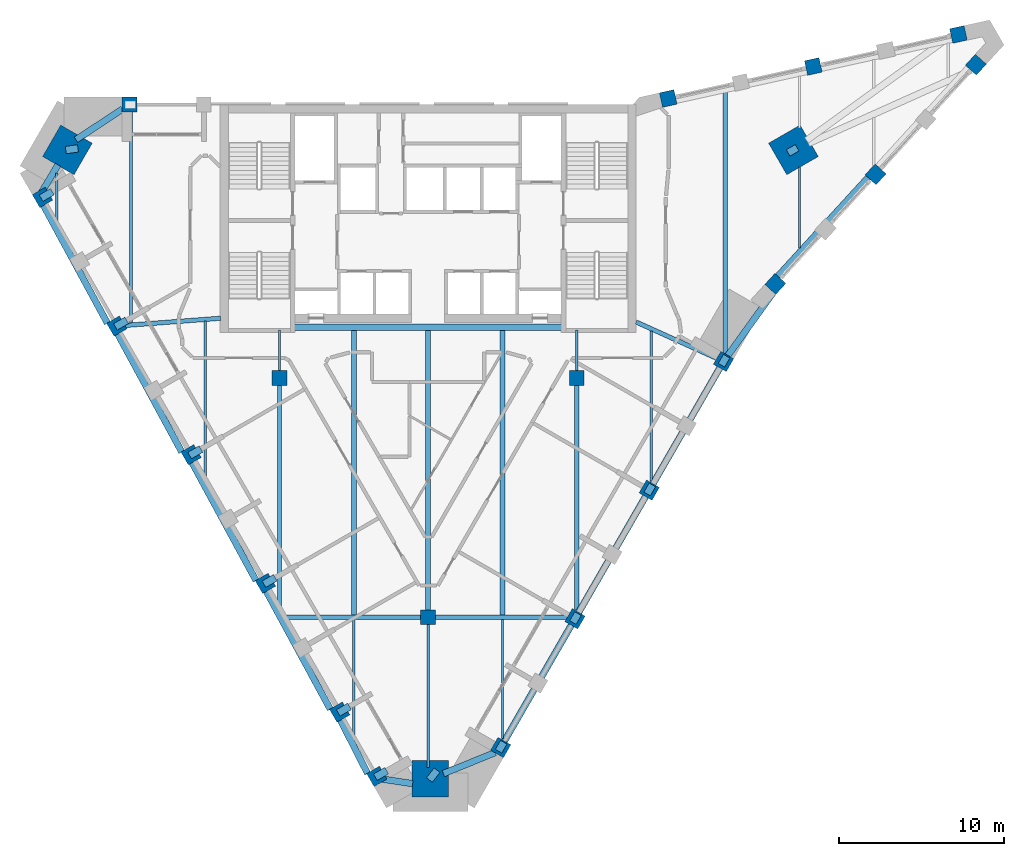
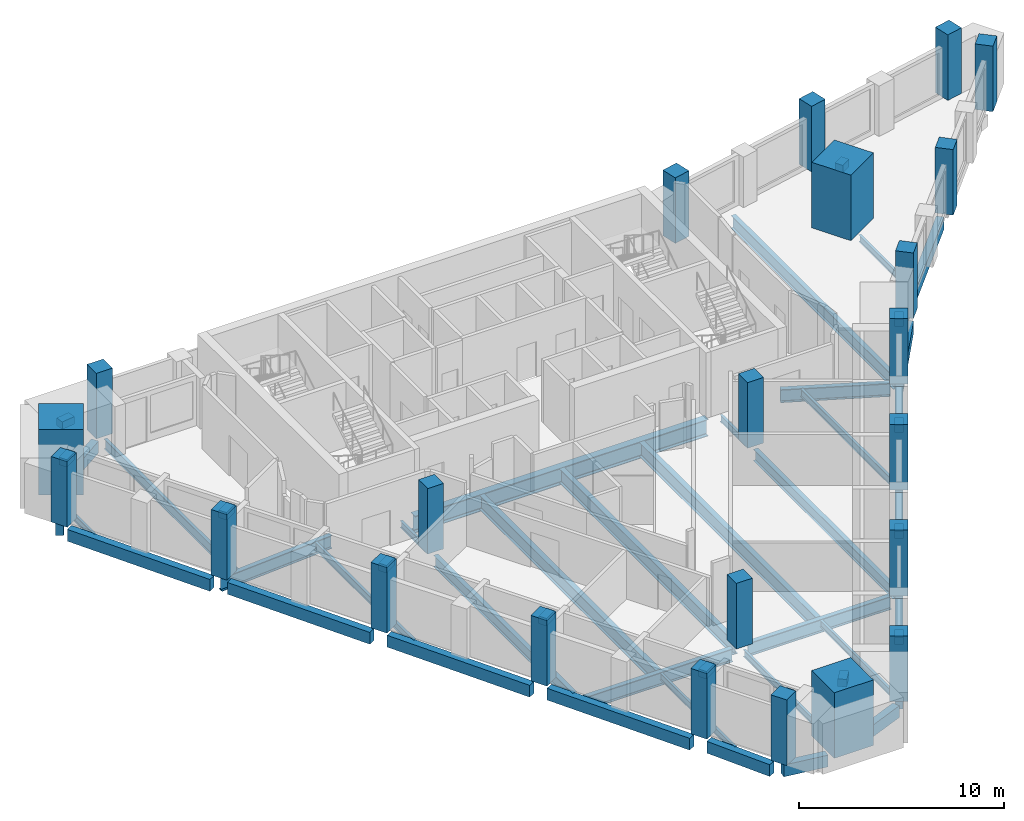
# One storey, part 1 of 8: 48 beams, 23 columns.
"""IFC4 building model written with IfcOpenShell, lengths in metres."""

from ifc_helpers import new_model, si_unit, direction, frame, origin, origin_2d, place, context, subcontext, project, spatial, rectangle, i_section, extrude, material, material_profile, profile_set, type_object, element, save


model = new_model("IFC4")

# Units and contexts
model_context = context("Model", 3, precision=1e-05, world=origin(), true_north=direction((0.0, 1.0)))
body_context = subcontext(model_context, "Body", "Model", "MODEL_VIEW")
ifc_project = project(units=[si_unit("LENGTHUNIT", "METRE"), si_unit("AREAUNIT", "SQUARE_METRE"), si_unit("VOLUMEUNIT", "CUBIC_METRE"), si_unit("PLANEANGLEUNIT", "RADIAN"), si_unit("MASSUNIT", "GRAM", prefix="KILO")], contexts=[model_context])

# Site, building, storey
site_placement = place(None, origin())
site = spatial("IfcSite", under=ifc_project, at=site_placement, CompositionType="ELEMENT")
building_placement = place(site_placement, origin())
building = spatial("IfcBuilding", under=site, at=building_placement, Name="Calabash Gate Tower", CompositionType="ELEMENT")
storey_placement = place(building_placement, frame((0.0, 0.0, 267.699951171875)))
storey = spatial("IfcBuildingStorey", under=building, at=storey_placement, Name="L64", CompositionType="ELEMENT", Elevation=267.699951171875)

# Columns
ifc_material_1 = material(Name="Concrete C60/75", Category="concrete")
ifc_material_profile_1 = material_profile(ifc_material_1, rectangle(XDim=0.89990234375, YDim=0.89990234375, at=origin_2d()))
ifc_profile_set_1 = profile_set([ifc_material_profile_1], Name="Concrete C60/75")
column_type_1 = type_object("IfcColumnType", Name="Interior column RC 900x900 Concrete C60/75", PredefinedType="COLUMN", material=ifc_profile_set_1)
for number, where, z_axis, x_axis, name in (
    (1, (-9.0, 2.5, 0.0), (0.0, 0.0, 1.0), (1.0, 0.0, 0.0), "Interior column L64 I0"),
    (2, (9.0, 2.5, 0.0), (0.0, 0.0, 1.0), (1.0, 0.0, 0.0), "Interior column L64 I1"),
    (3, (0.0, -12.0, 0.0), (0.0, 0.0, 1.0), (1.0, 0.0, 0.0), "Interior column L64 I2"),
):
    element("IfcColumn", number, at=place(storey_placement, frame(where, z_axis=z_axis, x_axis=x_axis)), inside=storey, type_object=column_type_1, Name=name, PredefinedType="COLUMN", context=body_context, shape_type="SweptSolid", body=[
        extrude(rectangle(XDim=0.89990234375, YDim=0.89990234375, at=origin_2d()), origin(), (0.0, 0.0, 1.0), 3.900146484375),
    ])
ifc_material_2 = material(Name="Concrete C60/75", Category="concrete")
ifc_material_profile_2 = material_profile(ifc_material_2, rectangle(XDim=2.199951171875, YDim=2.199951171875, at=origin_2d()))
ifc_profile_set_2 = profile_set([ifc_material_profile_2], Name="Concrete C60/75")
column_type_2 = type_object("IfcColumnType", Name="Mega column RC 2200x2200 Concrete C60/75", PredefinedType="COLUMN", material=ifc_profile_set_2)
for number, where, z_axis, x_axis, name in (
    (4, (-21.85302734375, 16.30810546875, 0.0), (0.0, 0.0, 1.0), (0.866025421238, -0.49999996977, 0.0), "Mega column L64 NW"),
    (5, (22.1279296875, 16.30810546875, 0.0), (0.0, 0.0, 1.0), (-0.866025421238, -0.49999996977, 0.0), "Mega column L64 NE"),
    (6, (0.136962890625, -21.781005859375, 0.0), (0.0, 0.0, 1.0), (0.0, 1.0, 0.0), "Mega column L64 S"),
):
    element("IfcColumn", number, at=place(storey_placement, frame(where, z_axis=z_axis, x_axis=x_axis)), inside=storey, type_object=column_type_2, Name=name, PredefinedType="COLUMN", context=body_context, shape_type="SweptSolid", body=[
        extrude(rectangle(XDim=2.199951171875, YDim=2.199951171875, at=origin_2d()), origin(), (0.0, 0.0, 1.0), 3.900146484375),
    ])
ifc_material_3 = material(Name="Concrete C50/60", Category="concrete")
ifc_material_profile_3 = material_profile(ifc_material_3, rectangle(XDim=0.89990234375, YDim=0.89990234375, at=origin_2d()))
ifc_profile_set_3 = profile_set([ifc_material_profile_3], Name="Concrete C50/60")
column_type_3 = type_object("IfcColumnType", Name="Perimeter column RC 900x900 Concrete C50/60", PredefinedType="COLUMN", material=ifc_profile_set_3)
for number, where, z_axis, x_axis, name in (
    (7, (-23.360107421875, 13.428955078125, 0.0), (0.0, 0.0, 1.0), (0.499999984885, -0.866025412511, 0.0), "Perimeter column L64 P20"),
    (8, (-18.860107421875, 5.634033203125, 0.0), (0.0, 0.0, 1.0), (0.499999984885, -0.866025412511, 0.0), "Perimeter column L64 P00"),
    (9, (-14.360107421875, -2.159912109375, 0.0), (0.0, 0.0, 1.0), (0.499999984885, -0.866025412511, 0.0), "Perimeter column L64 P01"),
    (10, (-9.860107421875, -9.9541015625, 0.0), (0.0, 0.0, 1.0), (0.499999984885, -0.866025412511, 0.0), "Perimeter column L64 P02"),
    (11, (-5.360107421875, -17.748046875, 0.0), (0.0, 0.0, 1.0), (0.499999984885, -0.866025412511, 0.0), "Perimeter column L64 P03"),
    (12, (-3.110107421875, -21.64306640625, 0.0), (0.0, 0.0, 1.0), (0.499999984885, -0.866025412511, 0.0), "Perimeter column L64 P25"),
    (13, (4.39599609375, -19.89306640625, 0.0), (0.0, 0.0, 1.0), (0.5, 0.866025403784, 0.0), "Perimeter column L64 P08"),
    (14, (8.89599609375, -12.097900390625, 0.0), (0.0, 0.0, 1.0), (0.5, 0.866025403784, 0.0), "Perimeter column L64 P09"),
    (15, (13.39599609375, -4.303955078125, 0.0), (0.0, 0.0, 1.0), (0.5, 0.866025403784, 0.0), "Perimeter column L64 P10"),
    (16, (17.89599609375, 3.489990234375, 0.0), (0.0, 0.0, 1.0), (0.5, 0.866025403784, 0.0), "Perimeter column L64 P11"),
    (17, (21.031005859375, 8.18701171875, 0.0), (0.0, 0.0, 1.0), (0.67485604152, 0.737949404244, 0.0), "Perimeter column L64 P12"),
    (18, (27.10400390625, 14.825927734375, 0.0), (0.0, 0.0, 1.0), (0.67485604152, 0.737949404244, 0.0), "Perimeter column L64 P36"),
    (19, (33.177978515625, 21.468017578125, 0.0), (0.0, 0.0, 1.0), (0.67485604152, 0.737949404244, 0.0), "Perimeter column L64 P37"),
    (20, (32.12109375, 23.298095703125, 0.0), (0.0, 0.0, 1.0), (-0.976510951543, -0.215467773731, 0.0), "Perimeter column L64 P38"),
    (21, (23.3330078125, 21.35888671875, 0.0), (0.0, 0.0, 1.0), (-0.976510951543, -0.215467773731, 0.0), "Perimeter column L64 P39"),
    (22, (14.5439453125, 19.4189453125, 0.0), (0.0, 0.0, 1.0), (-0.976510951543, -0.215467773731, 0.0), "Perimeter column L64 P40"),
    (23, (-18.089111328125, 19.052978515625, 0.0), (0.0, 0.0, 1.0), (-1.0, 0.0, 0.0), "Perimeter column L64 P31"),
):
    element("IfcColumn", number, at=place(storey_placement, frame(where, z_axis=z_axis, x_axis=x_axis)), inside=storey, type_object=column_type_3, Name=name, PredefinedType="COLUMN", context=body_context, shape_type="SweptSolid", body=[
        extrude(rectangle(XDim=0.89990234375, YDim=0.89990234375, at=origin_2d()), origin(), (0.0, 0.0, 1.0), 3.900146484375),
    ])

# Beams
ifc_material_4 = material(Name="Concrete C80/95", Category="concrete")
ifc_material_profile_4 = material_profile(ifc_material_4, rectangle(XDim=0.449951171875, YDim=0.449951171875, at=origin_2d()))
ifc_profile_set_4 = profile_set([ifc_material_profile_4], Name="Concrete C80/95")
beam_type_1 = type_object("IfcBeamType", Name="Column offset link RC 450x450 Concrete C80/95", PredefinedType="BEAM", material=ifc_profile_set_4)
beam_1_placement = place(storey_placement, frame((21.805908203125, 16.1220703125, 3.504150390625), z_axis=(0.866282275329, 0.499554821267, 0.0), x_axis=(-0.499554821267, 0.866282275329, 0.0)))
element("IfcBeam", 24, at=beam_1_placement, inside=storey, type_object=beam_type_1, Name="Column offset link L64 NE", PredefinedType="BEAM", context=body_context, shape_type="SweptSolid", body=[
    extrude(rectangle(XDim=0.449951171875, YDim=0.449951171875, at=origin_2d()), origin(), (0.0, 0.0, 1.0), 0.63037109375),
])
beam_2_placement = place(storey_placement, frame((-21.951904296875, 16.2939453125, 3.504150390625), z_axis=(0.989851928637, 0.142102636756, 0.0), x_axis=(-0.142102636756, 0.989851928637, 0.0)))
element("IfcBeam", 25, at=beam_2_placement, inside=storey, type_object=beam_type_1, Name="Column offset link L64 NW", PredefinedType="BEAM", context=body_context, shape_type="SweptSolid", body=[
    extrude(rectangle(XDim=0.449951171875, YDim=0.449951171875, at=origin_2d()), origin(), (0.0, 0.0, 1.0), 0.75244140625),
])
beam_3_placement = place(storey_placement, frame((-18.946044921875, 5.583984375, 3.504150390625), z_axis=(0.865538736039, 0.500841987473, 0.0), x_axis=(-0.500841987473, 0.865538736039, 0.0)))
element("IfcBeam", 26, at=beam_3_placement, inside=storey, type_object=beam_type_1, Name="Column offset link L64 P00", PredefinedType="BEAM", context=body_context, shape_type="SweptSolid", body=[
    extrude(rectangle(XDim=0.449951171875, YDim=0.449951171875, at=origin_2d()), origin(), (0.0, 0.0, 1.0), 0.792724609375),
])
for number, where, z_axis, x_axis, name in (
    (27, (-14.446044921875, -2.2099609375, 3.504150390625), (0.866072678707, 0.499918108492, 0.0), (-0.499918108492, 0.866072678707, 0.0), "Column offset link L64 P01"),
    (28, (-9.946044921875, -10.00390625, 3.504150390625), (0.866072678707, 0.499918108492, 0.0), (-0.499918108492, 0.866072678707, 0.0), "Column offset link L64 P02"),
    (29, (-5.446044921875, -17.798095703125, 3.504150390625), (0.866072678707, 0.499918108492, 0.0), (-0.499918108492, 0.866072678707, 0.0), "Column offset link L64 P03"),
):
    element("IfcBeam", number, at=place(storey_placement, frame(where, z_axis=z_axis, x_axis=x_axis)), inside=storey, type_object=beam_type_1, Name=name, PredefinedType="BEAM", context=body_context, shape_type="SweptSolid", body=[
        extrude(rectangle(XDim=0.449951171875, YDim=0.449951171875, at=origin_2d()), origin(), (0.0, 0.0, 1.0), 0.792236328125),
    ])
beam_4_placement = place(storey_placement, frame((4.26708984375, -20.1201171875, 3.504150390625), z_axis=(0.49655600483, 0.86800468551, 0.0), x_axis=(-0.86800468551, 0.49655600483, 0.0)))
element("IfcBeam", 30, at=beam_4_placement, inside=storey, type_object=beam_type_1, Name="Column offset link L64 P08", PredefinedType="BEAM", context=body_context, shape_type="SweptSolid", body=[
    extrude(rectangle(XDim=0.449951171875, YDim=0.449951171875, at=origin_2d()), origin(), (0.0, 0.0, 1.0), 0.63037109375),
])
beam_5_placement = place(storey_placement, frame((8.76708984375, -12.325927734375, 3.504150390625), z_axis=(0.498062309205, 0.867141243483, 0.0), x_axis=(-0.867141243483, 0.498062309205, 0.0)))
element("IfcBeam", 31, at=beam_5_placement, inside=storey, type_object=beam_type_1, Name="Column offset link L64 P09", PredefinedType="BEAM", context=body_context, shape_type="SweptSolid", body=[
    extrude(rectangle(XDim=0.449951171875, YDim=0.449951171875, at=origin_2d()), origin(), (0.0, 0.0, 1.0), 0.62841796875),
])
beam_6_placement = place(storey_placement, frame((13.26708984375, -4.531982421875, 3.504150390625), z_axis=(0.497391899042, 0.867525964319, 0.0), x_axis=(-0.867525964319, 0.497391899042, 0.0)))
element("IfcBeam", 32, at=beam_6_placement, inside=storey, type_object=beam_type_1, Name="Column offset link L64 P10", PredefinedType="BEAM", context=body_context, shape_type="SweptSolid", body=[
    extrude(rectangle(XDim=0.449951171875, YDim=0.449951171875, at=origin_2d()), origin(), (0.0, 0.0, 1.0), 0.629150390625),
])
beam_7_placement = place(storey_placement, frame((17.76708984375, 3.261962890625, 3.504150390625), z_axis=(0.497224532081, 0.867621901923, 0.0), x_axis=(-0.867621901923, 0.497224532081, 0.0)))
element("IfcBeam", 33, at=beam_7_placement, inside=storey, type_object=beam_type_1, Name="Column offset link L64 P11", PredefinedType="BEAM", context=body_context, shape_type="SweptSolid", body=[
    extrude(rectangle(XDim=0.449951171875, YDim=0.449951171875, at=origin_2d()), origin(), (0.0, 0.0, 1.0), 0.62939453125),
])
beam_8_placement = place(storey_placement, frame((-23.446044921875, 13.37890625, 3.504150390625), z_axis=(0.864870850948, 0.501994433415, 0.0), x_axis=(-0.501994433415, 0.864870850948, 0.0)))
element("IfcBeam", 34, at=beam_8_placement, inside=storey, type_object=beam_type_1, Name="Column offset link L64 P20", PredefinedType="BEAM", context=body_context, shape_type="SweptSolid", body=[
    extrude(rectangle(XDim=0.449951171875, YDim=0.449951171875, at=origin_2d()), origin(), (0.0, 0.0, 1.0), 0.793212890625),
])
beam_9_placement = place(storey_placement, frame((-3.196044921875, -21.693115234375, 3.504150390625), z_axis=(0.867139571541, 0.498065220095, 0.0), x_axis=(-0.498065220095, 0.867139571541, 0.0)))
element("IfcBeam", 35, at=beam_9_placement, inside=storey, type_object=beam_type_1, Name="Column offset link L64 P25", PredefinedType="BEAM", context=body_context, shape_type="SweptSolid", body=[
    extrude(rectangle(XDim=0.449951171875, YDim=0.449951171875, at=origin_2d()), origin(), (0.0, 0.0, 1.0), 0.791259765625),
])
beam_10_placement = place(storey_placement, frame((0.075927734375, -21.860107421875, 3.504150390625), z_axis=(0.61712027142, 0.786868839517, 0.0), x_axis=(-0.786868839517, 0.61712027142, 0.0)))
element("IfcBeam", 36, at=beam_10_placement, inside=storey, type_object=beam_type_1, Name="Column offset link L64 S", PredefinedType="BEAM", context=body_context, shape_type="SweptSolid", body=[
    extrude(rectangle(XDim=0.449951171875, YDim=0.449951171875, at=origin_2d()), origin(), (0.0, 0.0, 1.0), 0.753662109375),
])
ifc_material_5 = material(Name="Concrete C50/60", Category="concrete")
ifc_material_profile_5 = material_profile(ifc_material_5, rectangle(XDim=0.39990234375, YDim=0.699951171875, at=origin_2d()))
ifc_profile_set_5 = profile_set([ifc_material_profile_5], Name="Concrete C50/60")
beam_type_2 = type_object("IfcBeamType", Name="Edge beam RC 400x700 Concrete C50/60", PredefinedType="BEAM", material=ifc_profile_set_5)
beam_11_placement = place(storey_placement, frame((-14.30908203125, -2.623046875, -0.52001953125), z_axis=(0.477013821139, -0.878895792709, 0.0), x_axis=(0.878895792709, 0.477013821139, 0.0)))
element("IfcBeam", 37, at=beam_11_placement, inside=storey, type_object=beam_type_2, Name="Edge beam L64 1", PredefinedType="BEAM", context=body_context, shape_type="SweptSolid", body=[
    extrude(rectangle(XDim=0.39990234375, YDim=0.699951171875, at=origin_2d()), origin(), (0.0, 0.0, 1.0), 8.146484375),
])
beam_12_placement = place(storey_placement, frame((-9.80908203125, -10.4189453125, -0.52001953125), z_axis=(0.477001257127, -0.878902611612, 0.0), x_axis=(0.878902611612, 0.477001257127, 0.0)))
element("IfcBeam", 38, at=beam_12_placement, inside=storey, type_object=beam_type_2, Name="Edge beam L64 2", PredefinedType="BEAM", context=body_context, shape_type="SweptSolid", body=[
    extrude(rectangle(XDim=0.39990234375, YDim=0.699951171875, at=origin_2d()), origin(), (0.0, 0.0, 1.0), 8.146728515625),
])
beam_13_placement = place(storey_placement, frame((-5.319091796875, -18.218994140625, -0.52001953125), z_axis=(0.453784468292, -0.891111472453, 0.0), x_axis=(0.891111472453, 0.453784468292, 0.0)))
element("IfcBeam", 39, at=beam_13_placement, inside=storey, type_object=beam_type_2, Name="Edge beam L64 3", PredefinedType="BEAM", context=body_context, shape_type="SweptSolid", body=[
    extrude(rectangle(XDim=0.39990234375, YDim=0.699951171875, at=origin_2d()), origin(), (0.0, 0.0, 1.0), 3.6494140625),
])
beam_14_placement = place(storey_placement, frame((-3.23291015625, -21.739013671875, -0.52001953125), z_axis=(0.989022584295, -0.147764433319, 0.0), x_axis=(0.147764433319, 0.989022584295, 0.0)))
element("IfcBeam", 40, at=beam_14_placement, inside=storey, type_object=beam_type_2, Name="Edge beam L64 4", PredefinedType="BEAM", context=body_context, shape_type="SweptSolid", body=[
    extrude(rectangle(XDim=0.39990234375, YDim=0.699951171875, at=origin_2d()), origin(), (0.0, 0.0, 1.0), 2.3212890625),
])
beam_15_placement = place(storey_placement, frame((0.9208984375, -21.47705078125, -0.52001953125), z_axis=(0.926059754836, 0.377376907711, 0.0), x_axis=(-0.377376907711, 0.926059754836, 0.0)))
element("IfcBeam", 41, at=beam_15_placement, inside=storey, type_object=beam_type_2, Name="Edge beam L64 5", PredefinedType="BEAM", context=body_context, shape_type="SweptSolid", body=[
    extrude(rectangle(XDim=0.39990234375, YDim=0.699951171875, at=origin_2d()), origin(), (0.0, 0.0, 1.0), 3.391845703125),
])
beam_16_placement = place(storey_placement, frame((4.47705078125, -19.756103515625, -0.52001953125), z_axis=(0.499832936549, 0.86612183643, 0.0), x_axis=(-0.86612183643, 0.499832936549, 0.0)))
element("IfcBeam", 42, at=beam_16_placement, inside=storey, type_object=beam_type_2, Name="Edge beam L64 6", PredefinedType="BEAM", context=body_context, shape_type="SweptSolid", body=[
    extrude(rectangle(XDim=0.39990234375, YDim=0.699951171875, at=origin_2d()), origin(), (0.0, 0.0, 1.0), 8.4169921875),
])
beam_17_placement = place(storey_placement, frame((8.97705078125, -11.9619140625, -0.52001953125), z_axis=(0.499845494019, 0.866114589479, 0.0), x_axis=(-0.866114589479, 0.499845494019, 0.0)))
element("IfcBeam", 43, at=beam_17_placement, inside=storey, type_object=beam_type_2, Name="Edge beam L64 7", PredefinedType="BEAM", context=body_context, shape_type="SweptSolid", body=[
    extrude(rectangle(XDim=0.39990234375, YDim=0.699951171875, at=origin_2d()), origin(), (0.0, 0.0, 1.0), 8.416748046875),
])
beam_18_placement = place(storey_placement, frame((13.47705078125, -4.1669921875, -0.52001953125), z_axis=(0.499883169583, 0.866092845351, 0.0), x_axis=(-0.866092845351, 0.499883169583, 0.0)))
element("IfcBeam", 44, at=beam_18_placement, inside=storey, type_object=beam_type_2, Name="Edge beam L64 8", PredefinedType="BEAM", context=body_context, shape_type="SweptSolid", body=[
    extrude(rectangle(XDim=0.39990234375, YDim=0.699951171875, at=origin_2d()), origin(), (0.0, 0.0, 1.0), 8.416015625),
])
beam_19_placement = place(storey_placement, frame((17.990966796875, 3.6201171875, -0.52001953125), z_axis=(0.584247251905, 0.811575719599, 0.0), x_axis=(-0.811575719599, 0.584247251905, 0.0)))
element("IfcBeam", 45, at=beam_19_placement, inside=storey, type_object=beam_type_2, Name="Edge beam L64 9", PredefinedType="BEAM", context=body_context, shape_type="SweptSolid", body=[
    extrude(rectangle(XDim=0.39990234375, YDim=0.699951171875, at=origin_2d()), origin(), (0.0, 0.0, 1.0), 5.035888671875),
])
beam_20_placement = place(storey_placement, frame((21.18701171875, 8.652099609375, -0.52001953125), z_axis=(0.674873802315, 0.737933161573, 0.0), x_axis=(-0.737933161573, 0.674873802315, 0.0)))
element("IfcBeam", 46, at=beam_20_placement, inside=storey, type_object=beam_type_2, Name="Edge beam L64 10", PredefinedType="BEAM", context=body_context, shape_type="SweptSolid", body=[
    extrude(rectangle(XDim=0.39990234375, YDim=0.699951171875, at=origin_2d()), origin(), (0.0, 0.0, 1.0), 8.099365234375),
])
beam_21_placement = place(storey_placement, frame((-18.512939453125, 18.780029296875, -0.52001953125), z_axis=(-0.834845571954, -0.550484215022, 0.0), x_axis=(0.550484215022, -0.834845571954, 0.0)))
element("IfcBeam", 47, at=beam_21_placement, inside=storey, type_object=beam_type_2, Name="Edge beam L64 16", PredefinedType="BEAM", context=body_context, shape_type="SweptSolid", body=[
    extrude(rectangle(XDim=0.39990234375, YDim=0.699951171875, at=origin_2d()), origin(), (0.0, 0.0, 1.0), 3.373291015625),
])
beam_22_placement = place(storey_placement, frame((-22.419921875, 15.39990234375, -0.52001953125), z_axis=(-0.512127778976, -0.858909272276, 0.0), x_axis=(0.858909272276, -0.512127778976, 0.0)))
element("IfcBeam", 48, at=beam_22_placement, inside=storey, type_object=beam_type_2, Name="Edge beam L64 17", PredefinedType="BEAM", context=body_context, shape_type="SweptSolid", body=[
    extrude(rectangle(XDim=0.39990234375, YDim=0.699951171875, at=origin_2d()), origin(), (0.0, 0.0, 1.0), 2.245849609375),
])
for number, where, z_axis, x_axis, name in (
    (49, (-23.30908203125, 12.962890625, -0.52001953125), (0.477013821139, -0.878895792709, 0.0), (0.878895792709, 0.477013821139, 0.0), "Edge beam L64 18"),
    (50, (-18.80908203125, 5.1689453125, -0.52001953125), (0.477013821139, -0.878895792709, 0.0), (0.878895792709, 0.477013821139, 0.0), "Edge beam L64 19"),
):
    element("IfcBeam", number, at=place(storey_placement, frame(where, z_axis=z_axis, x_axis=x_axis)), inside=storey, type_object=beam_type_2, Name=name, PredefinedType="BEAM", context=body_context, shape_type="SweptSolid", body=[
        extrude(rectangle(XDim=0.39990234375, YDim=0.699951171875, at=origin_2d()), origin(), (0.0, 0.0, 1.0), 8.146484375),
    ])
ifc_material_6 = material(Name="Steel ASTM A992 Gr50", Category="steel")
ifc_material_profile_6 = material_profile(ifc_material_6, i_section(OverallWidth=0.1396484375, OverallDepth=0.398681640625, WebThickness=0.00634765625, FlangeThickness=0.0087890625, FilletRadius=0.01025390625, at=origin_2d()))
ifc_profile_set_6 = profile_set([ifc_material_profile_6], Name="Steel ASTM A992 Gr50")
beam_type_3 = type_object("IfcBeamType", Name="Floor beam W16x26 ASTM A992 Gr50", PredefinedType="BEAM", material=ifc_profile_set_6)
beam_23_placement = place(storey_placement, frame((-22.5, 11.867919921875, -0.368896484375), z_axis=(0.0, 1.0, 0.0), x_axis=(-1.0, 0.0, 0.0)))
element("IfcBeam", 51, at=beam_23_placement, inside=storey, type_object=beam_type_3, Name="Floor beam L64 1", PredefinedType="BEAM", context=body_context, shape_type="SweptSolid", body=[
    extrude(i_section(OverallWidth=0.1396484375, OverallDepth=0.398681640625, WebThickness=0.00634765625, FlangeThickness=0.0087890625, FilletRadius=0.01025390625, at=origin_2d()), origin(), (0.0, 0.0, 1.0), 3.029052734375),
])
beam_24_placement = place(storey_placement, frame((-9.0, 2.949951171875, -0.368896484375), z_axis=(0.0, 1.0, 0.0), x_axis=(-1.0, 0.0, 0.0)))
element("IfcBeam", 52, at=beam_24_placement, inside=storey, type_object=beam_type_3, Name="Floor beam L64 5", PredefinedType="BEAM", context=body_context, shape_type="SweptSolid", body=[
    extrude(i_section(OverallWidth=0.1396484375, OverallDepth=0.398681640625, WebThickness=0.00634765625, FlangeThickness=0.0087890625, FilletRadius=0.01025390625, at=origin_2d()), origin(), (0.0, 0.0, 1.0), 2.453125),
])
beam_25_placement = place(storey_placement, frame((-4.5, -19.408935546875, -0.368896484375), z_axis=(0.0, 1.0, 0.0), x_axis=(-1.0, 0.0, 0.0)))
element("IfcBeam", 53, at=beam_25_placement, inside=storey, type_object=beam_type_3, Name="Floor beam L64 6", PredefinedType="BEAM", context=body_context, shape_type="SweptSolid", body=[
    extrude(i_section(OverallWidth=0.1396484375, OverallDepth=0.398681640625, WebThickness=0.00634765625, FlangeThickness=0.0087890625, FilletRadius=0.01025390625, at=origin_2d()), origin(), (0.0, 0.0, 1.0), 7.27587890625),
])
beam_26_placement = place(storey_placement, frame((0.0, -21.093017578125, -0.368896484375), z_axis=(0.0, 1.0, 0.0), x_axis=(-1.0, 0.0, 0.0)))
element("IfcBeam", 54, at=beam_26_placement, inside=storey, type_object=beam_type_3, Name="Floor beam L64 8", PredefinedType="BEAM", context=body_context, shape_type="SweptSolid", body=[
    extrude(i_section(OverallWidth=0.1396484375, OverallDepth=0.398681640625, WebThickness=0.00634765625, FlangeThickness=0.0087890625, FilletRadius=0.01025390625, at=origin_2d()), origin(), (0.0, 0.0, 1.0), 8.64306640625),
])
beam_27_placement = place(storey_placement, frame((4.5, -19.343017578125, -0.368896484375), z_axis=(0.0, 1.0, 0.0), x_axis=(-1.0, 0.0, 0.0)))
element("IfcBeam", 55, at=beam_27_placement, inside=storey, type_object=beam_type_3, Name="Floor beam L64 10", PredefinedType="BEAM", context=body_context, shape_type="SweptSolid", body=[
    extrude(i_section(OverallWidth=0.1396484375, OverallDepth=0.398681640625, WebThickness=0.00634765625, FlangeThickness=0.0087890625, FilletRadius=0.01025390625, at=origin_2d()), origin(), (0.0, 0.0, 1.0), 7.2099609375),
])
beam_28_placement = place(storey_placement, frame((9.0, 2.949951171875, -0.368896484375), z_axis=(0.0, 1.0, 0.0), x_axis=(-1.0, 0.0, 0.0)))
element("IfcBeam", 56, at=beam_28_placement, inside=storey, type_object=beam_type_3, Name="Floor beam L64 13", PredefinedType="BEAM", context=body_context, shape_type="SweptSolid", body=[
    extrude(i_section(OverallWidth=0.1396484375, OverallDepth=0.398681640625, WebThickness=0.00634765625, FlangeThickness=0.0087890625, FilletRadius=0.01025390625, at=origin_2d()), origin(), (0.0, 0.0, 1.0), 2.453125),
])
beam_29_placement = place(storey_placement, frame((22.5, 10.3720703125, -0.368896484375), z_axis=(0.0, 1.0, 0.0), x_axis=(-1.0, 0.0, 0.0)))
element("IfcBeam", 57, at=beam_29_placement, inside=storey, type_object=beam_type_3, Name="Floor beam L64 16", PredefinedType="BEAM", context=body_context, shape_type="SweptSolid", body=[
    extrude(i_section(OverallWidth=0.1396484375, OverallDepth=0.398681640625, WebThickness=0.00634765625, FlangeThickness=0.0087890625, FilletRadius=0.01025390625, at=origin_2d()), origin(), (0.0, 0.0, 1.0), 4.89501953125),
])
ifc_material_7 = material(Name="Steel ASTM A992 Gr50", Category="steel")
ifc_material_profile_7 = material_profile(ifc_material_7, i_section(OverallWidth=0.15234375, OverallDepth=0.44970703125, WebThickness=0.007568359375, FlangeThickness=0.0107421875, FilletRadius=0.01025390625, at=origin_2d()))
ifc_profile_set_7 = profile_set([ifc_material_profile_7], Name="Steel ASTM A992 Gr50")
beam_type_4 = type_object("IfcBeamType", Name="Floor beam W18x35 ASTM A992 Gr50", PredefinedType="BEAM", material=ifc_profile_set_7)
beam_30_placement = place(storey_placement, frame((-13.5, -3.720947265625, -0.39306640625), z_axis=(0.0, 1.0, 0.0), x_axis=(-1.0, 0.0, 0.0)))
element("IfcBeam", 58, at=beam_30_placement, inside=storey, type_object=beam_type_4, Name="Floor beam L64 3", PredefinedType="BEAM", context=body_context, shape_type="SweptSolid", body=[
    extrude(i_section(OverallWidth=0.15234375, OverallDepth=0.44970703125, WebThickness=0.007568359375, FlangeThickness=0.0107421875, FilletRadius=0.01025390625, at=origin_2d()), origin(), (0.0, 0.0, 1.0), 9.64892578125),
])
beam_31_placement = place(storey_placement, frame((13.5, -3.757080078125, -0.39306640625), z_axis=(0.0, 1.0, 0.0), x_axis=(-1.0, 0.0, 0.0)))
element("IfcBeam", 59, at=beam_31_placement, inside=storey, type_object=beam_type_4, Name="Floor beam L64 14", PredefinedType="BEAM", context=body_context, shape_type="SweptSolid", body=[
    extrude(i_section(OverallWidth=0.15234375, OverallDepth=0.44970703125, WebThickness=0.007568359375, FlangeThickness=0.0107421875, FilletRadius=0.01025390625, at=origin_2d()), origin(), (0.0, 0.0, 1.0), 9.108154296875),
])
ifc_material_8 = material(Name="Steel ASTM A992 Gr50", Category="steel")
ifc_material_profile_8 = material_profile(ifc_material_8, i_section(OverallWidth=0.1787109375, OverallDepth=0.60205078125, WebThickness=0.010986328125, FlangeThickness=0.014892578125, FilletRadius=0.0126953125, at=origin_2d()))
ifc_profile_set_8 = profile_set([ifc_material_profile_8], Name="Steel ASTM A992 Gr50")
beam_type_5 = type_object("IfcBeamType", Name="Floor beam W24x62 ASTM A992 Gr50", PredefinedType="BEAM", material=ifc_profile_set_8)
beam_32_placement = place(storey_placement, frame((-18.0, 5.81103515625, -0.470947265625), z_axis=(0.0, 1.0, 0.0), x_axis=(-1.0, 0.0, 0.0)))
element("IfcBeam", 60, at=beam_32_placement, inside=storey, type_object=beam_type_5, Name="Floor beam L64 2", PredefinedType="BEAM", context=body_context, shape_type="SweptSolid", body=[
    extrude(i_section(OverallWidth=0.1787109375, OverallDepth=0.60205078125, WebThickness=0.010986328125, FlangeThickness=0.014892578125, FilletRadius=0.0126953125, at=origin_2d()), origin(), (0.0, 0.0, 1.0), 12.825927734375),
])
ifc_material_9 = material(Name="Steel ASTM A992 Gr50", Category="steel")
ifc_material_profile_9 = material_profile(ifc_material_9, i_section(OverallWidth=0.25390625, OverallDepth=0.67822265625, WebThickness=0.01171875, FlangeThickness=0.016357421875, FilletRadius=0.01513671875, at=origin_2d()))
ifc_profile_set_9 = profile_set([ifc_material_profile_9], Name="Steel ASTM A992 Gr50")
beam_type_6 = type_object("IfcBeamType", Name="Floor beam W27x84 ASTM A992 Gr50", PredefinedType="BEAM", material=ifc_profile_set_9)
beam_33_placement = place(storey_placement, frame((-9.0, -11.512939453125, -0.509033203125), z_axis=(0.0, 1.0, 0.0), x_axis=(-1.0, 0.0, 0.0)))
element("IfcBeam", 61, at=beam_33_placement, inside=storey, type_object=beam_type_6, Name="Floor beam L64 4", PredefinedType="BEAM", context=body_context, shape_type="SweptSolid", body=[
    extrude(i_section(OverallWidth=0.25390625, OverallDepth=0.67822265625, WebThickness=0.01171875, FlangeThickness=0.016357421875, FilletRadius=0.01513671875, at=origin_2d()), origin(), (0.0, 0.0, 1.0), 13.56298828125),
])
beam_34_placement = place(storey_placement, frame((9.0, -11.551025390625, -0.509033203125), z_axis=(0.0, 1.0, 0.0), x_axis=(-1.0, 0.0, 0.0)))
element("IfcBeam", 62, at=beam_34_placement, inside=storey, type_object=beam_type_6, Name="Floor beam L64 12", PredefinedType="BEAM", context=body_context, shape_type="SweptSolid", body=[
    extrude(i_section(OverallWidth=0.25390625, OverallDepth=0.67822265625, WebThickness=0.01171875, FlangeThickness=0.016357421875, FilletRadius=0.01513671875, at=origin_2d()), origin(), (0.0, 0.0, 1.0), 13.60107421875),
])
ifc_material_10 = material(Name="Steel ASTM A992 Gr50", Category="steel")
ifc_material_profile_10 = material_profile(ifc_material_10, i_section(OverallWidth=0.2666015625, OverallDepth=0.7568359375, WebThickness=0.013916015625, FlangeThickness=0.019287109375, FilletRadius=0.0166015625, at=origin_2d()))
ifc_profile_set_10 = profile_set([ifc_material_profile_10], Name="Steel ASTM A992 Gr50")
beam_type_7 = type_object("IfcBeamType", Name="Floor beam W30x108 ASTM A992 Gr50", PredefinedType="BEAM", material=ifc_profile_set_10)
beam_35_placement = place(storey_placement, frame((18.0, 3.95703125, -0.5478515625), z_axis=(0.0, 1.0, 0.0), x_axis=(-1.0, 0.0, 0.0)))
element("IfcBeam", 63, at=beam_35_placement, inside=storey, type_object=beam_type_7, Name="Floor beam L64 15", PredefinedType="BEAM", context=body_context, shape_type="SweptSolid", body=[
    extrude(i_section(OverallWidth=0.2666015625, OverallDepth=0.7568359375, WebThickness=0.013916015625, FlangeThickness=0.019287109375, FilletRadius=0.0166015625, at=origin_2d()), origin(), (0.0, 0.0, 1.0), 15.846923828125),
])
ifc_material_11 = material(Name="Steel ASTM A992 Gr50", Category="steel")
ifc_material_profile_11 = material_profile(ifc_material_11, i_section(OverallWidth=0.2919921875, OverallDepth=0.845703125, WebThickness=0.015380859375, FlangeThickness=0.0244140625, FilletRadius=0.017822265625, at=origin_2d()))
ifc_profile_set_11 = profile_set([ifc_material_profile_11], Name="Steel ASTM A992 Gr50")
beam_type_8 = type_object("IfcBeamType", Name="Floor beam W33x141 ASTM A992 Gr50", PredefinedType="BEAM", material=ifc_profile_set_11)
beam_36_placement = place(storey_placement, frame((-4.5, -11.866943359375, -0.593017578125), z_axis=(0.0, 1.0, 0.0), x_axis=(-1.0, 0.0, 0.0)))
element("IfcBeam", 64, at=beam_36_placement, inside=storey, type_object=beam_type_8, Name="Floor beam L64 7", PredefinedType="BEAM", context=body_context, shape_type="SweptSolid", body=[
    extrude(i_section(OverallWidth=0.2919921875, OverallDepth=0.845703125, WebThickness=0.015380859375, FlangeThickness=0.0244140625, FilletRadius=0.017822265625, at=origin_2d()), origin(), (0.0, 0.0, 1.0), 17.218994140625),
])
beam_37_placement = place(storey_placement, frame((0.0, -11.550048828125, -0.593017578125), z_axis=(0.0, 1.0, 0.0), x_axis=(-1.0, 0.0, 0.0)))
element("IfcBeam", 65, at=beam_37_placement, inside=storey, type_object=beam_type_8, Name="Floor beam L64 9", PredefinedType="BEAM", context=body_context, shape_type="SweptSolid", body=[
    extrude(i_section(OverallWidth=0.2919921875, OverallDepth=0.845703125, WebThickness=0.015380859375, FlangeThickness=0.0244140625, FilletRadius=0.017822265625, at=origin_2d()), origin(), (0.0, 0.0, 1.0), 16.902099609375),
])
beam_38_placement = place(storey_placement, frame((4.5, -11.866943359375, -0.593017578125), z_axis=(0.0, 1.0, 0.0), x_axis=(-1.0, 0.0, 0.0)))
element("IfcBeam", 66, at=beam_38_placement, inside=storey, type_object=beam_type_8, Name="Floor beam L64 11", PredefinedType="BEAM", context=body_context, shape_type="SweptSolid", body=[
    extrude(i_section(OverallWidth=0.2919921875, OverallDepth=0.845703125, WebThickness=0.015380859375, FlangeThickness=0.0244140625, FilletRadius=0.017822265625, at=origin_2d()), origin(), (0.0, 0.0, 1.0), 17.218994140625),
])
ifc_material_12 = material(Name="Steel ASTM A992 Gr50", Category="steel")
ifc_material_profile_12 = material_profile(ifc_material_12, i_section(OverallWidth=0.2666015625, OverallDepth=0.77978515625, WebThickness=0.0166015625, FlangeThickness=0.030029296875, FilletRadius=0.0166015625, at=origin_2d()))
ifc_profile_set_12 = profile_set([ifc_material_profile_12], Name="Steel ASTM A992 Gr50")
beam_type_9 = type_object("IfcBeamType", Name="Girder W30x148 ASTM A992 Gr50", PredefinedType="BEAM", material=ifc_profile_set_12)
beam_39_placement = place(storey_placement, frame((-19.0419921875, 5.62109375, -0.56005859375), z_axis=(0.997159273093, 0.075321869895, 0.0), x_axis=(-0.075321869895, 0.997159273093, 0.0)))
element("IfcBeam", 67, at=beam_39_placement, inside=storey, type_object=beam_type_9, Name="Girder L64 2", PredefinedType="BEAM", context=body_context, shape_type="SweptSolid", body=[
    extrude(i_section(OverallWidth=0.2666015625, OverallDepth=0.77978515625, WebThickness=0.0166015625, FlangeThickness=0.030029296875, FilletRadius=0.0166015625, at=origin_2d()), origin(), (0.0, 0.0, 1.0), 6.492431640625),
])
beam_40_placement = place(storey_placement, frame((17.512939453125, 3.6630859375, -0.56005859375), z_axis=(-0.911350322238, 0.411631619481, 0.0), x_axis=(-0.411631619481, -0.911350322238, 0.0)))
element("IfcBeam", 68, at=beam_40_placement, inside=storey, type_object=beam_type_9, Name="Girder L64 3", PredefinedType="BEAM", context=body_context, shape_type="SweptSolid", body=[
    extrude(i_section(OverallWidth=0.2666015625, OverallDepth=0.77978515625, WebThickness=0.0166015625, FlangeThickness=0.030029296875, FilletRadius=0.0166015625, at=origin_2d()), origin(), (0.0, 0.0, 1.0), 5.390625),
])
beam_41_placement = place(storey_placement, frame((-8.748046875, -12.0, -0.56005859375), z_axis=(1.0, 0.0, 0.0), x_axis=(0.0, 1.0, 0.0)))
element("IfcBeam", 69, at=beam_41_placement, inside=storey, type_object=beam_type_9, Name="Girder L64 4", PredefinedType="BEAM", context=body_context, shape_type="SweptSolid", body=[
    extrude(i_section(OverallWidth=0.2666015625, OverallDepth=0.77978515625, WebThickness=0.0166015625, FlangeThickness=0.030029296875, FilletRadius=0.0166015625, at=origin_2d()), origin(), (0.0, 0.0, 1.0), 8.298095703125),
])
beam_42_placement = place(storey_placement, frame((0.449951171875, -12.0, -0.56005859375), z_axis=(1.0, 0.0, 0.0), x_axis=(0.0, 1.0, 0.0)))
element("IfcBeam", 70, at=beam_42_placement, inside=storey, type_object=beam_type_9, Name="Girder L64 5", PredefinedType="BEAM", context=body_context, shape_type="SweptSolid", body=[
    extrude(i_section(OverallWidth=0.2666015625, OverallDepth=0.77978515625, WebThickness=0.0166015625, FlangeThickness=0.030029296875, FilletRadius=0.0166015625, at=origin_2d()), origin(), (0.0, 0.0, 1.0), 8.01611328125),
])
ifc_material_13 = material(Name="Steel ASTM A992 Gr50", Category="steel")
ifc_material_profile_13 = material_profile(ifc_material_13, i_section(OverallWidth=0.4013671875, OverallDepth=1.000732421875, WebThickness=0.01904296875, FlangeThickness=0.0361328125, FilletRadius=0.030029296875, at=origin_2d()))
ifc_profile_set_13 = profile_set([ifc_material_profile_13], Name="Steel ASTM A992 Gr50")
beam_type_10 = type_object("IfcBeamType", Name="Girder W40x249 ASTM A992 Gr50", PredefinedType="BEAM", material=ifc_profile_set_13)
beam_43_placement = place(storey_placement, frame((-8.25, 5.552978515625, -0.669921875), z_axis=(1.0, 0.0, 0.0), x_axis=(0.0, 1.0, 0.0)))
element("IfcBeam", 71, at=beam_43_placement, inside=storey, type_object=beam_type_10, Name="Girder L64 1", PredefinedType="BEAM", context=body_context, shape_type="SweptSolid", body=[
    extrude(i_section(OverallWidth=0.4013671875, OverallDepth=1.000732421875, WebThickness=0.01904296875, FlangeThickness=0.0361328125, FilletRadius=0.030029296875, at=origin_2d()), origin(), (0.0, 0.0, 1.0), 16.5),
])

save(model, "model.ifc")
